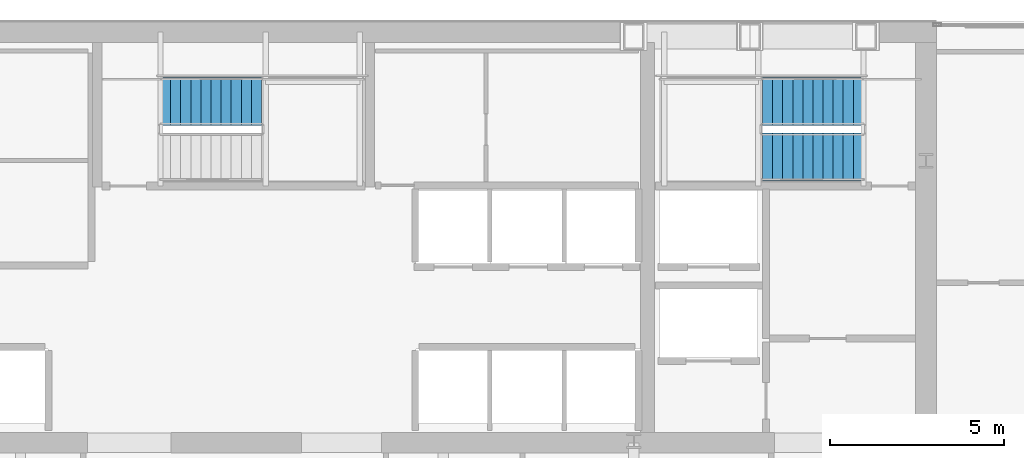
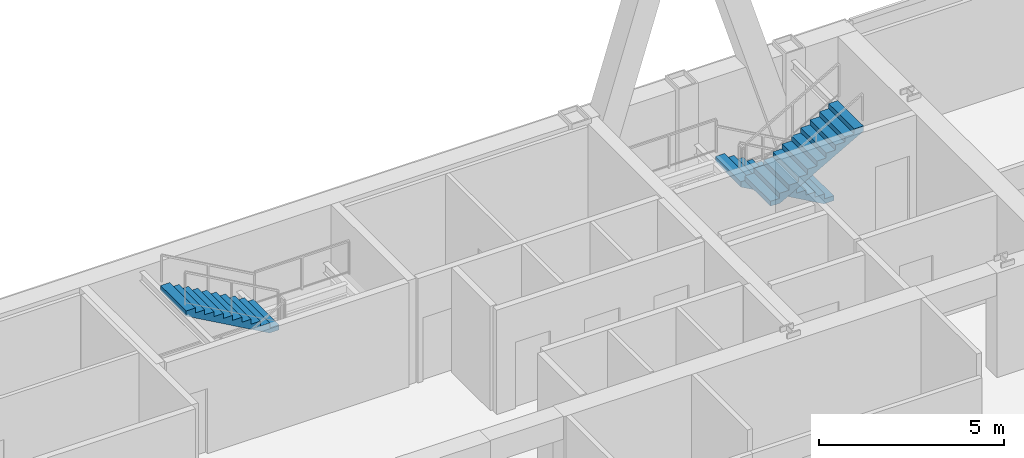
# One storey, part 30 of 32: 3 stair flights, 2 elements without a shape of their own.
"""IFC4 building model written with IfcOpenShell, lengths in metres."""

from ifc_helpers import new_model, si_unit, direction, frame, origin, place, context, subcontext, project, spatial, polyline, outline, extrude, material, type_object, element, aggregate, save


model = new_model("IFC4")

# Units and contexts
model_context = context("Model", 3, precision=1e-05, world=origin(), true_north=direction((0.0, 1.0)))
body_context = subcontext(model_context, "Body", "Model", "MODEL_VIEW")
ifc_project = project(units=[si_unit("LENGTHUNIT", "METRE"), si_unit("AREAUNIT", "SQUARE_METRE"), si_unit("VOLUMEUNIT", "CUBIC_METRE"), si_unit("PLANEANGLEUNIT", "RADIAN"), si_unit("MASSUNIT", "GRAM", prefix="KILO")], contexts=[model_context])

# Site, building, storey
site_placement = place(None, origin())
site = spatial("IfcSite", under=ifc_project, at=site_placement, CompositionType="ELEMENT")
building_placement = place(site_placement, origin())
building = spatial("IfcBuilding", under=site, at=building_placement, Name="Khoronbel Lancet Exchange", CompositionType="ELEMENT")
storey_placement = place(building_placement, frame((0.0, 0.0, 188.60009765625)))
storey = spatial("IfcBuildingStorey", under=building, at=storey_placement, Name="L47", CompositionType="ELEMENT", Elevation=188.60009765625)

# Stair, stair flights
ifc_material = material(Name="Concrete C40/50", Category="concrete")
stair_type = type_object("IfcStairType", Name="STR-CORE150", PredefinedType="HALF_TURN_STAIR", material=ifc_material)
stair_1_placement = place(storey_placement, origin())
stair_1 = element("IfcStair", 1, at=stair_1_placement, inside=storey, type_object=stair_type, Name="L47 Protected Exit Stair ST2", PredefinedType="HALF_TURN_STAIR")
stair_flight_type = type_object("IfcStairFlightType", Name="STF-150", PredefinedType="STRAIGHT", material=ifc_material)
stair_flight_1_placement = place(storey_placement, frame((54.60009765625, 51.409912109375, 0.0), z_axis=(0.0, 0.0, 1.0), x_axis=(-1.0, 0.0, 0.0)))
stair_flight_1 = element("IfcStairFlight", 2, at=stair_flight_1_placement, type_object=stair_flight_type, Name="ST2 flight 1", NumberOfRisers=11, NumberOfTreads=10, PredefinedType="STRAIGHT", RiserHeight=0.163636364, TreadLength=0.29, context=body_context, shape_type="SweptSolid", body=[
    extrude(outline(polyline([(0.0, 0.0), (0.0, 0.16357421875), (0.2900390625, 0.16357421875), (0.2900390625, 0.327392578125), (0.580078125, 0.327392578125), (0.580078125, 0.490966796875), (0.8701171875, 0.490966796875), (0.8701171875, 0.654541015625), (1.159912109375, 0.654541015625), (1.159912109375, 0.818115234375), (1.449951171875, 0.818115234375), (1.449951171875, 0.98193359375), (1.739990234375, 0.98193359375), (1.739990234375, 1.1455078125), (2.030029296875, 1.1455078125), (2.030029296875, 1.30908203125), (2.320068359375, 1.30908203125), (2.320068359375, 1.47265625), (2.610107421875, 1.47265625), (2.610107421875, 1.636474609375), (2.89990234375, 1.636474609375), (2.89990234375, 1.800048828125), (2.89990234375, 1.46435546875), (0.304931640625, 0.0), (0.0, 0.0)])), frame((0.0, 0.68994140625, 0.0), z_axis=(0.0, -1.0, 0.0), x_axis=(1.0, 0.0, 0.0)), (0.0, 0.0, 1.0), 1.3798828125),
])
stair_flight_2_placement = place(storey_placement, frame((51.699951171875, 49.81005859375, 1.7998046875), z_axis=(0.0, 0.0, 1.0), x_axis=(1.0, 0.0, 0.0)))
stair_flight_2 = element("IfcStairFlight", 3, at=stair_flight_2_placement, type_object=stair_flight_type, Name="ST2 flight 2", NumberOfRisers=11, NumberOfTreads=10, PredefinedType="STRAIGHT", RiserHeight=0.163636364, TreadLength=0.29, context=body_context, shape_type="SweptSolid", body=[
    extrude(outline(polyline([(0.0, 0.0), (0.0, 0.16357421875), (0.2900390625, 0.16357421875), (0.2900390625, 0.327392578125), (0.580078125, 0.327392578125), (0.580078125, 0.490966796875), (0.8701171875, 0.490966796875), (0.8701171875, 0.654541015625), (1.159912109375, 0.654541015625), (1.159912109375, 0.818115234375), (1.449951171875, 0.818115234375), (1.449951171875, 0.98193359375), (1.739990234375, 0.98193359375), (1.739990234375, 1.1455078125), (2.030029296875, 1.1455078125), (2.030029296875, 1.30908203125), (2.320068359375, 1.30908203125), (2.320068359375, 1.47265625), (2.610107421875, 1.47265625), (2.610107421875, 1.636474609375), (2.89990234375, 1.636474609375), (2.89990234375, 1.800048828125), (2.89990234375, 1.46435546875), (0.304931640625, 0.0), (0.0, 0.0)])), frame((0.0, 0.68994140625, 0.0), z_axis=(0.0, -1.0, 0.0), x_axis=(1.0, 0.0, 0.0)), (0.0, 0.0, 1.0), 1.3798828125),
])
aggregate(stair_1, [stair_flight_1, stair_flight_2])

# Stair, stair flight
stair_2_placement = place(storey_placement, origin())
stair_2 = element("IfcStair", 4, at=stair_2_placement, inside=storey, type_object=stair_type, Name="L47 Protected Exit Stair ST3", PredefinedType="HALF_TURN_STAIR")
stair_flight_3_placement = place(storey_placement, frame((37.300048828125, 51.409912109375, 1.7998046875), z_axis=(0.0, 0.0, 1.0), x_axis=(-1.0, 0.0, 0.0)))
stair_flight_3 = element("IfcStairFlight", 5, at=stair_flight_3_placement, type_object=stair_flight_type, Name="ST3 flight 2", NumberOfRisers=11, NumberOfTreads=10, PredefinedType="STRAIGHT", RiserHeight=0.163636364, TreadLength=0.29, context=body_context, shape_type="SweptSolid", body=[
    extrude(outline(polyline([(0.0, 0.0), (0.0, 0.16357421875), (0.2900390625, 0.16357421875), (0.2900390625, 0.327392578125), (0.580078125, 0.327392578125), (0.580078125, 0.490966796875), (0.8701171875, 0.490966796875), (0.8701171875, 0.654541015625), (1.159912109375, 0.654541015625), (1.159912109375, 0.818115234375), (1.449951171875, 0.818115234375), (1.449951171875, 0.98193359375), (1.739990234375, 0.98193359375), (1.739990234375, 1.1455078125), (2.030029296875, 1.1455078125), (2.030029296875, 1.30908203125), (2.320068359375, 1.30908203125), (2.320068359375, 1.47265625), (2.610107421875, 1.47265625), (2.610107421875, 1.636474609375), (2.89990234375, 1.636474609375), (2.89990234375, 1.800048828125), (2.89990234375, 1.46435546875), (0.304931640625, 0.0), (0.0, 0.0)])), frame((0.0, 0.68994140625, 0.0), z_axis=(0.0, -1.0, 0.0), x_axis=(1.0, 0.0, 0.0)), (0.0, 0.0, 1.0), 1.3798828125),
])
aggregate(stair_2, [stair_flight_3])

save(model, "model.ifc")
